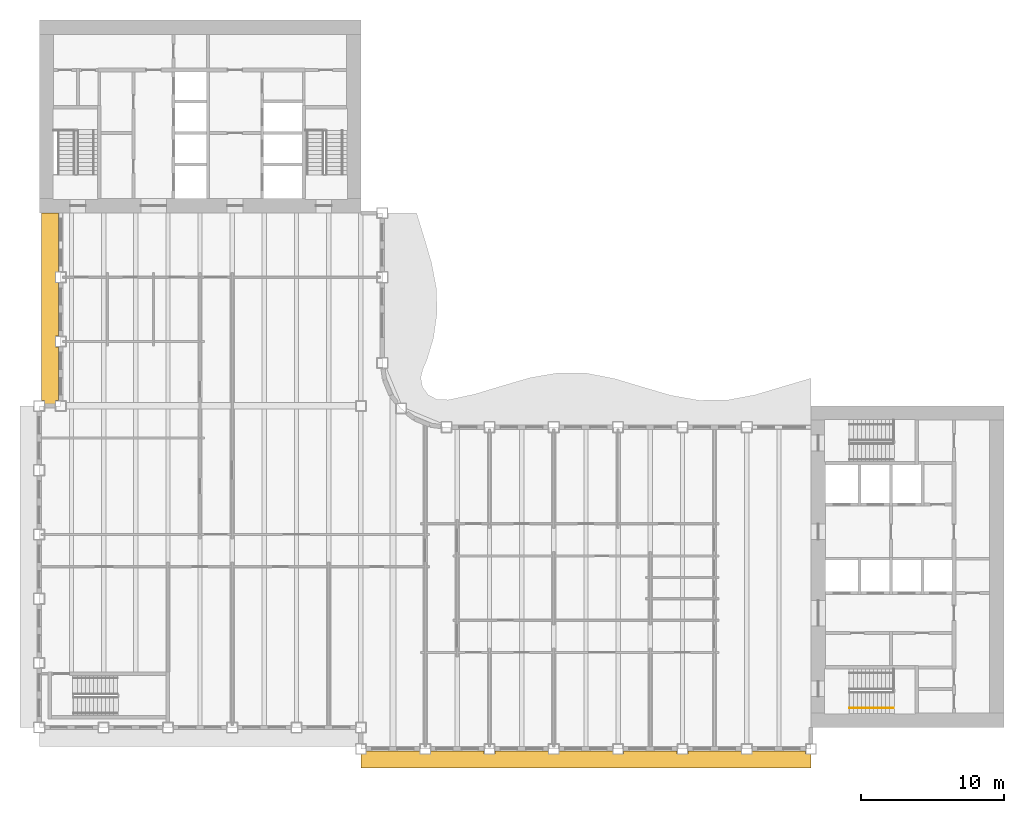
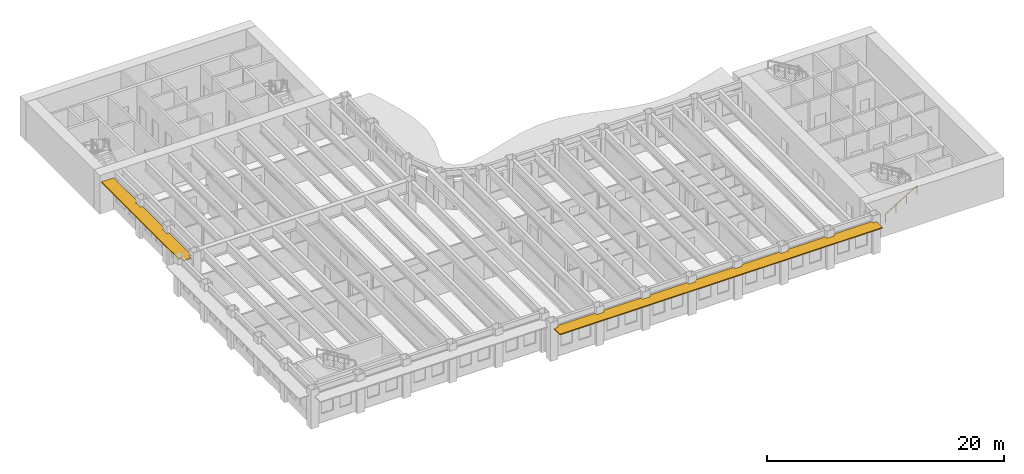
# One storey, part 12 of 16: 2 shading devices, 1 railing.
"""IFC4 building model written with IfcOpenShell, lengths in metres."""

from ifc_helpers import new_model, si_unit, direction, frame, origin, origin_2d, place, context, subcontext, project, spatial, polyline, rectangle, outline, extrude, material, layer, layer_set, type_object, element, save


model = new_model("IFC4")

# Units and contexts
model_context = context("Model", 3, precision=1e-05, world=origin(), true_north=direction((0.0, 1.0)))
body_context = subcontext(model_context, "Body", "Model", "MODEL_VIEW")
ifc_project = project(units=[si_unit("LENGTHUNIT", "METRE"), si_unit("AREAUNIT", "SQUARE_METRE"), si_unit("VOLUMEUNIT", "CUBIC_METRE"), si_unit("PLANEANGLEUNIT", "RADIAN"), si_unit("MASSUNIT", "GRAM", prefix="KILO")], contexts=[model_context])

# Site, building, storey
site_placement = place(None, origin())
site = spatial("IfcSite", under=ifc_project, at=site_placement, CompositionType="ELEMENT")
building_placement = place(site_placement, origin())
building = spatial("IfcBuilding", under=site, at=building_placement, Name="Sennacour Bend Tower", CompositionType="ELEMENT")
storey_placement = place(building_placement, frame((0.0, 0.0, 207.0)))
storey = spatial("IfcBuildingStorey", under=building, at=storey_placement, Name="L47", CompositionType="ELEMENT", Elevation=207.0)

# Railing
ifc_material_1 = material(Name="Stainless steel", Category="steel")
railing_type = type_object("IfcRailingType", Name="RL-HANDRAIL-900", PredefinedType="HANDRAIL", material=ifc_material_1)
railing_placement = place(storey_placement, frame((56.699951171875, 1.35009765625, 0.166748046875)))
element("IfcRailing", 1, at=railing_placement, inside=storey, type_object=railing_type, Name="L47 SA1 stair handrail 1", PredefinedType="HANDRAIL", context=body_context, shape_type="SweptSolid", body=[
    extrude(rectangle(XDim=0.048095703125, YDim=0.048095703125, at=origin_2d()), frame((0.0, 0.0, 0.8759765625), z_axis=(0.859308565015, 0.0, 0.511457515432), x_axis=(0.0, 1.0, 0.0)), (0.0, 0.0, 1.0), 3.58447265625),
    extrude(rectangle(XDim=0.0419921875, YDim=0.0419921875, at=origin_2d()), origin(), (0.0, 0.0, 1.0), 0.851806640625),
    extrude(rectangle(XDim=0.0419921875, YDim=0.0419921875, at=origin_2d()), frame((1.026611328125, 0.0, 0.611083984375)), (0.0, 0.0, 1.0), 0.851806640625),
    extrude(rectangle(XDim=0.0419921875, YDim=0.0419921875, at=origin_2d()), frame((2.053466796875, 0.0, 1.22216796875)), (0.0, 0.0, 1.0), 0.851806640625),
    extrude(rectangle(XDim=0.0419921875, YDim=0.0419921875, at=origin_2d()), frame((3.080078125, 0.0, 1.833251953125)), (0.0, 0.0, 1.0), 0.851806640625),
])

# Shading devices
ifc_material_2 = material(Name="Bronze anodised aluminium", Category="aluminium")
ifc_layer = layer(ifc_material_2, 0.10009765625, Name="Bronze anodised aluminium", Category="aluminium")
ifc_layer_set = layer_set([ifc_layer], Name="Bronze anodised aluminium")
shading_device_type = type_object("IfcShadingDeviceType", Name="SUNSHADE BAND STRAIGHT", PredefinedType="USERDEFINED", material=ifc_layer_set)
shading_device_1_placement = place(storey_placement, frame((0.0, 0.0, 3.056884765625)))
element("IfcShadingDevice", 2, at=shading_device_1_placement, inside=storey, type_object=shading_device_type, Name="Sunshade band L47 A outer face", ObjectType="SUNSHADE", PredefinedType="USERDEFINED", context=body_context, shape_type="SweptSolid", body=[
    extrude(outline(polyline([(26.625, -1.64990234375), (26.625, -1.875), (27.375, -1.875), (27.375, -1.64990234375), (31.125, -1.64990234375), (31.125, -1.875), (31.875, -1.875), (31.875, -1.64990234375), (35.625, -1.64990234375), (35.625, -1.875), (36.375, -1.875), (36.375, -1.64990234375), (40.125, -1.64990234375), (40.125, -1.875), (40.875, -1.875), (40.875, -1.64990234375), (44.625, -1.64990234375), (44.625, -1.875), (45.375, -1.875), (45.375, -1.64990234375), (49.125, -1.64990234375), (49.125, -1.875), (49.875, -1.875), (49.875, -1.64990234375), (53.625, -1.64990234375), (53.625, -1.875), (54.0, -1.875), (54.0, -2.85009765625), (22.5, -2.85009765625), (22.5, -1.875), (22.875, -1.875), (22.875, -1.64990234375), (26.625, -1.64990234375)])), origin(), (0.0, 0.0, 1.0), 0.10009765625),
])
shading_device_2_placement = place(storey_placement, frame((0.0, 0.0, 3.056884765625)))
element("IfcShadingDevice", 3, at=shading_device_2_placement, inside=storey, type_object=shading_device_type, Name="Sunshade band L47 B outer face", ObjectType="SUNSHADE", PredefinedType="USERDEFINED", context=body_context, shape_type="SweptSolid", body=[
    extrude(outline(polyline([(1.35009765625, 31.875), (1.125, 31.875), (1.125, 31.125), (1.35009765625, 31.125), (1.35009765625, 27.375), (1.125, 27.375), (1.125, 26.625), (1.35009765625, 26.625), (1.35009765625, 22.875), (1.125, 22.875), (1.125, 22.5), (0.375, 22.5), (0.375, 22.875), (0.14990234375, 22.875), (0.14990234375, 36.0), (1.35009765625, 36.0), (1.35009765625, 31.875)])), origin(), (0.0, 0.0, 1.0), 0.10009765625),
])

save(model, "model.ifc")
